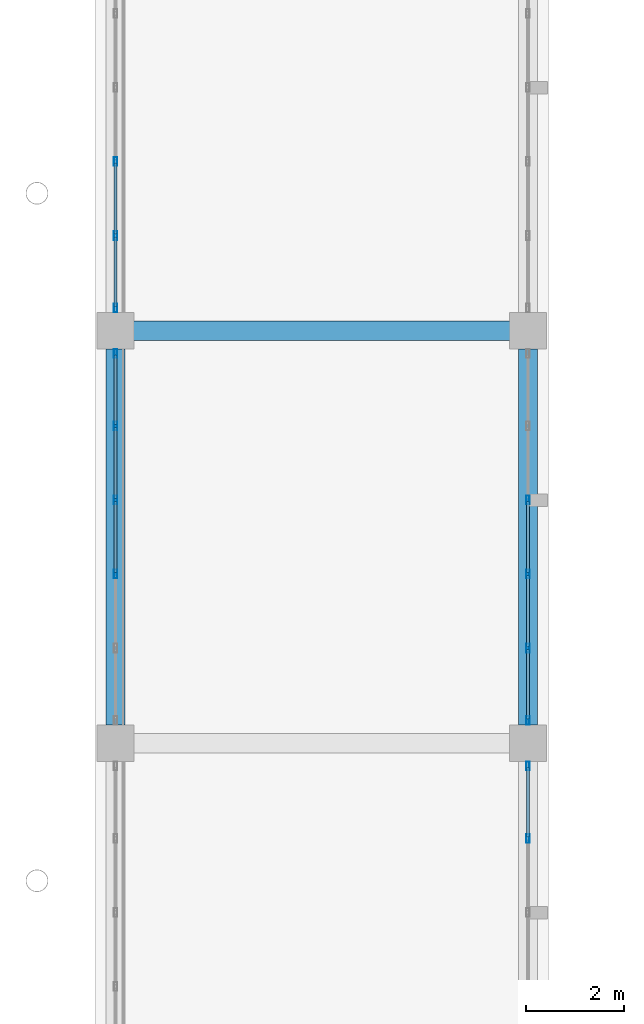
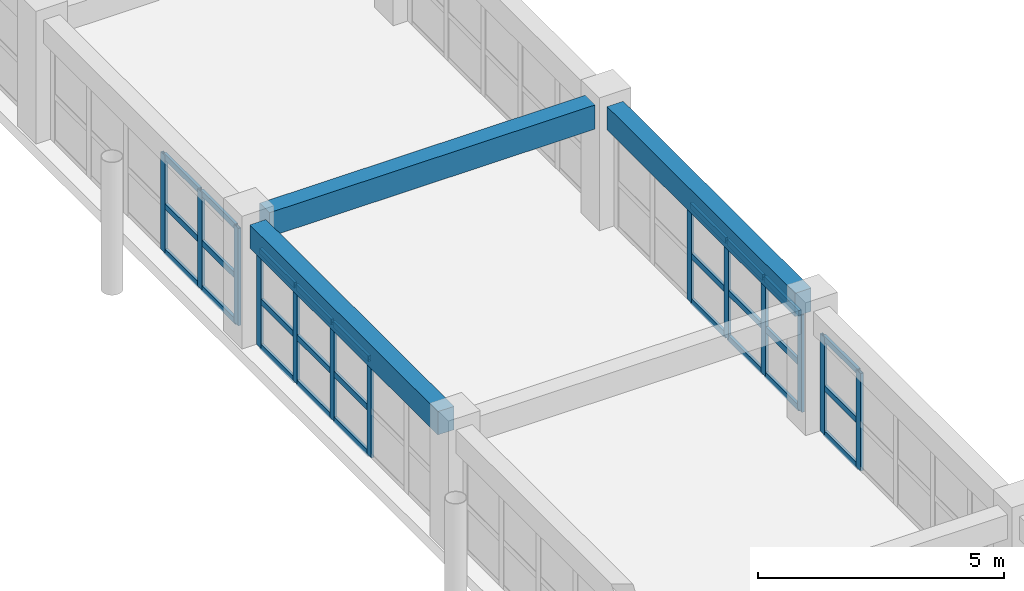
# One storey, part 138 of 200: 40 members, 3 beams, 4 elements without a shape of their own.
"""IFC4 building model written with IfcOpenShell, lengths in metres."""

from ifc_helpers import new_model, si_unit, direction, frame, origin, origin_2d, place, context, subcontext, project, spatial, rectangle, hollow_rectangle, extrude, material, layer, layer_set, material_profile, profile_set, type_object, element, aggregate, save


model = new_model("IFC4")

# Units and contexts
model_context = context("Model", 3, precision=1e-05, world=origin(), true_north=direction((0.0, 1.0)))
body_context = subcontext(model_context, "Body", "Model", "MODEL_VIEW")
ifc_project = project(units=[si_unit("LENGTHUNIT", "METRE"), si_unit("AREAUNIT", "SQUARE_METRE"), si_unit("VOLUMEUNIT", "CUBIC_METRE"), si_unit("PLANEANGLEUNIT", "RADIAN"), si_unit("MASSUNIT", "GRAM", prefix="KILO")], contexts=[model_context])

# Site, building, storey
site_placement = place(None, origin())
site = spatial("IfcSite", under=ifc_project, at=site_placement, CompositionType="ELEMENT")
building_placement = place(site_placement, origin())
building = spatial("IfcBuilding", under=site, at=building_placement, Name="Trelvath General Hospital", CompositionType="ELEMENT")
storey_placement = place(building_placement, frame((0.0, 0.0, 4.800048828125)))
storey = spatial("IfcBuildingStorey", under=building, at=storey_placement, Name="L01", CompositionType="ELEMENT", Elevation=4.800048828125)

# Beams
ifc_material_1 = material(Name="Concrete C35/45", Category="concrete")
ifc_material_profile_1 = material_profile(ifc_material_1, rectangle(XDim=0.3798828125, YDim=0.580078125, at=origin_2d()), Name="RCB380x580")
ifc_profile_set_1 = profile_set([ifc_material_profile_1], Name="Concrete C35/45")
beam_type_1 = type_object("IfcBeamType", Name="Beam RC380x580", PredefinedType="BEAM", material=ifc_profile_set_1)
for number, where, z_axis, x_axis, name in (
    (1, (176.39990234375, 42.3701171875, 2.72998046875), (0.0, 1.0, 0.0), (-1.0, 0.0, 0.0), "Grid Beam BY-121F"),
    (2, (184.800048828125, 42.3701171875, 2.72998046875), (0.0, 1.0, 0.0), (-1.0, 0.0, 0.0), "Grid Beam BY-122F"),
):
    element("IfcBeam", number, at=place(storey_placement, frame(where, z_axis=z_axis, x_axis=x_axis)), inside=storey, type_object=beam_type_1, Name=name, PredefinedType="BEAM", context=body_context, shape_type="SweptSolid", body=[
        extrude(rectangle(XDim=0.3798828125, YDim=0.580078125, at=origin_2d()), origin(), (0.0, 0.0, 1.0), 7.659912109375),
    ])
ifc_material_2 = material(Name="Concrete C35/45", Category="concrete")
ifc_material_profile_2 = material_profile(ifc_material_2, rectangle(XDim=0.39990234375, YDim=0.60009765625, at=origin_2d()), Name="RCB400x600")
ifc_profile_set_2 = profile_set([ifc_material_profile_2], Name="Concrete C35/45")
beam_type_2 = type_object("IfcBeamType", Name="Beam RC400x600", PredefinedType="BEAM", material=ifc_profile_set_2)
beam_placement = place(storey_placement, frame((176.77001953125, 50.39990234375, 2.719970703125), z_axis=(1.0, 0.0, 0.0), x_axis=(0.0, 1.0, 0.0)))
element("IfcBeam", 3, at=beam_placement, inside=storey, type_object=beam_type_2, Name="Grid Beam BX-121G", PredefinedType="BEAM", context=body_context, shape_type="SweptSolid", body=[
    extrude(rectangle(XDim=0.39990234375, YDim=0.60009765625, at=origin_2d()), origin(), (0.0, 0.0, 1.0), 7.659912109375),
])

# Curtain wall, members
ifc_material_3 = material(Name="Anodised aluminium and low-E glass", Category="aluminium")
ifc_layer = layer(ifc_material_3, 0.179931640625)
ifc_layer_set = layer_set([ifc_layer], Name="Anodised aluminium and low-E glass")
curtain_wall_type = type_object("IfcCurtainWallType", Name="CW Facade 754 242 18", PredefinedType="USERDEFINED", material=ifc_layer_set)
curtain_wall_1_placement = place(storey_placement, origin())
curtain_wall_1 = element("IfcCurtainWall", 4, at=curtain_wall_1_placement, inside=storey, type_object=curtain_wall_type, Name="Facade Curtain Wall CW-033", ObjectType="Unitised Glazed Curtain Wall", PredefinedType="USERDEFINED")
ifc_material_4 = material(Name="Anodised aluminium", Category="aluminium")
ifc_material_profile_3 = material_profile(ifc_material_4, hollow_rectangle(XDim=0.06494140625, YDim=0.179931640625, WallThickness=0.0048828125, at=origin_2d()), Name="RHS65x180x5")
ifc_profile_set_3 = profile_set([ifc_material_profile_3], Name="Anodised aluminium")
member_type_1 = type_object("IfcMemberType", Name="CurtainMullion 65x180", PredefinedType="MULLION", material=ifc_profile_set_3)
member_1_placement = place(storey_placement, frame((184.800048828125, 41.53759765625, 0.0), z_axis=(0.0, 0.0, 1.0), x_axis=(1.0, 0.0, 0.0)))
member_1 = element("IfcMember", 5, at=member_1_placement, type_object=member_type_1, Name="CW-033 mullion 1", PredefinedType="MULLION", context=body_context, shape_type="SweptSolid", body=[
    extrude(hollow_rectangle(XDim=0.06494140625, YDim=0.179931640625, WallThickness=0.0048828125, at=origin_2d()), origin(), (0.0, 0.0, 1.0), 2.419921875),
])
member_2_placement = place(storey_placement, frame((184.800048828125, 40.06201171875, 0.0), z_axis=(0.0, 0.0, 1.0), x_axis=(1.0, 0.0, 0.0)))
member_2 = element("IfcMember", 6, at=member_2_placement, type_object=member_type_1, Name="CW-033 mullion 2", PredefinedType="MULLION", context=body_context, shape_type="SweptSolid", body=[
    extrude(hollow_rectangle(XDim=0.06494140625, YDim=0.179931640625, WallThickness=0.0048828125, at=origin_2d()), origin(), (0.0, 0.0, 1.0), 2.419921875),
])

curtain_wall_2_placement = place(storey_placement, origin())
curtain_wall_2 = element("IfcCurtainWall", 7, at=curtain_wall_2_placement, inside=storey, type_object=curtain_wall_type, Name="Facade Curtain Wall CW-034", ObjectType="Unitised Glazed Curtain Wall", PredefinedType="USERDEFINED")
member_3_placement = place(storey_placement, frame((176.39990234375, 45.446044921875, 0.0), z_axis=(0.0, 0.0, 1.0), x_axis=(-1.0, 0.0, 0.0)))
member_3 = element("IfcMember", 8, at=member_3_placement, type_object=member_type_1, Name="CW-034 mullion 3", PredefinedType="MULLION", context=body_context, shape_type="SweptSolid", body=[
    extrude(hollow_rectangle(XDim=0.06494140625, YDim=0.179931640625, WallThickness=0.0048828125, at=origin_2d()), origin(), (0.0, 0.0, 1.0), 2.419921875),
])
member_4_placement = place(storey_placement, frame((176.39990234375, 46.9541015625, 0.0), z_axis=(0.0, 0.0, 1.0), x_axis=(-1.0, 0.0, 0.0)))
member_4 = element("IfcMember", 9, at=member_4_placement, type_object=member_type_1, Name="CW-034 mullion 4", PredefinedType="MULLION", context=body_context, shape_type="SweptSolid", body=[
    extrude(hollow_rectangle(XDim=0.06494140625, YDim=0.179931640625, WallThickness=0.0048828125, at=origin_2d()), origin(), (0.0, 0.0, 1.0), 2.419921875),
])
member_5_placement = place(storey_placement, frame((176.39990234375, 48.4619140625, 0.0), z_axis=(0.0, 0.0, 1.0), x_axis=(-1.0, 0.0, 0.0)))
member_5 = element("IfcMember", 10, at=member_5_placement, type_object=member_type_1, Name="CW-034 mullion 5", PredefinedType="MULLION", context=body_context, shape_type="SweptSolid", body=[
    extrude(hollow_rectangle(XDim=0.06494140625, YDim=0.179931640625, WallThickness=0.0048828125, at=origin_2d()), origin(), (0.0, 0.0, 1.0), 2.419921875),
])
member_6_placement = place(storey_placement, frame((176.39990234375, 49.9375, 0.0), z_axis=(0.0, 0.0, 1.0), x_axis=(-1.0, 0.0, 0.0)))
member_6 = element("IfcMember", 11, at=member_6_placement, type_object=member_type_1, Name="CW-034 mullion 6", PredefinedType="MULLION", context=body_context, shape_type="SweptSolid", body=[
    extrude(hollow_rectangle(XDim=0.06494140625, YDim=0.179931640625, WallThickness=0.0048828125, at=origin_2d()), origin(), (0.0, 0.0, 1.0), 2.419921875),
])

curtain_wall_3_placement = place(storey_placement, origin())
curtain_wall_3 = element("IfcCurtainWall", 12, at=curtain_wall_3_placement, inside=storey, type_object=curtain_wall_type, Name="Facade Curtain Wall CW-035", ObjectType="Unitised Glazed Curtain Wall", PredefinedType="USERDEFINED")
member_7_placement = place(storey_placement, frame((184.800048828125, 46.9541015625, 0.0), z_axis=(0.0, 0.0, 1.0), x_axis=(1.0, 0.0, 0.0)))
member_7 = element("IfcMember", 13, at=member_7_placement, type_object=member_type_1, Name="CW-035 mullion 3", PredefinedType="MULLION", context=body_context, shape_type="SweptSolid", body=[
    extrude(hollow_rectangle(XDim=0.06494140625, YDim=0.179931640625, WallThickness=0.0048828125, at=origin_2d()), origin(), (0.0, 0.0, 1.0), 2.419921875),
])
member_8_placement = place(storey_placement, frame((184.800048828125, 45.446044921875, 0.0), z_axis=(0.0, 0.0, 1.0), x_axis=(1.0, 0.0, 0.0)))
member_8 = element("IfcMember", 14, at=member_8_placement, type_object=member_type_1, Name="CW-035 mullion 4", PredefinedType="MULLION", context=body_context, shape_type="SweptSolid", body=[
    extrude(hollow_rectangle(XDim=0.06494140625, YDim=0.179931640625, WallThickness=0.0048828125, at=origin_2d()), origin(), (0.0, 0.0, 1.0), 2.419921875),
])
member_9_placement = place(storey_placement, frame((184.800048828125, 43.93798828125, 0.0), z_axis=(0.0, 0.0, 1.0), x_axis=(1.0, 0.0, 0.0)))
member_9 = element("IfcMember", 15, at=member_9_placement, type_object=member_type_1, Name="CW-035 mullion 5", PredefinedType="MULLION", context=body_context, shape_type="SweptSolid", body=[
    extrude(hollow_rectangle(XDim=0.06494140625, YDim=0.179931640625, WallThickness=0.0048828125, at=origin_2d()), origin(), (0.0, 0.0, 1.0), 2.419921875),
])
member_10_placement = place(storey_placement, frame((184.800048828125, 42.46240234375, 0.0), z_axis=(0.0, 0.0, 1.0), x_axis=(1.0, 0.0, 0.0)))
member_10 = element("IfcMember", 16, at=member_10_placement, type_object=member_type_1, Name="CW-035 mullion 6", PredefinedType="MULLION", context=body_context, shape_type="SweptSolid", body=[
    extrude(hollow_rectangle(XDim=0.06494140625, YDim=0.179931640625, WallThickness=0.0048828125, at=origin_2d()), origin(), (0.0, 0.0, 1.0), 2.419921875),
])

curtain_wall_4_placement = place(storey_placement, origin())
curtain_wall_4 = element("IfcCurtainWall", 17, at=curtain_wall_4_placement, inside=storey, type_object=curtain_wall_type, Name="Facade Curtain Wall CW-036", ObjectType="Unitised Glazed Curtain Wall", PredefinedType="USERDEFINED")
member_11_placement = place(storey_placement, frame((176.39990234375, 50.862548828125, 0.0), z_axis=(0.0, 0.0, 1.0), x_axis=(-1.0, 0.0, 0.0)))
member_11 = element("IfcMember", 18, at=member_11_placement, type_object=member_type_1, Name="CW-036 mullion 1", PredefinedType="MULLION", context=body_context, shape_type="SweptSolid", body=[
    extrude(hollow_rectangle(XDim=0.06494140625, YDim=0.179931640625, WallThickness=0.0048828125, at=origin_2d()), origin(), (0.0, 0.0, 1.0), 2.419921875),
])
member_12_placement = place(storey_placement, frame((176.39990234375, 52.337890625, 0.0), z_axis=(0.0, 0.0, 1.0), x_axis=(-1.0, 0.0, 0.0)))
member_12 = element("IfcMember", 19, at=member_12_placement, type_object=member_type_1, Name="CW-036 mullion 2", PredefinedType="MULLION", context=body_context, shape_type="SweptSolid", body=[
    extrude(hollow_rectangle(XDim=0.06494140625, YDim=0.179931640625, WallThickness=0.0048828125, at=origin_2d()), origin(), (0.0, 0.0, 1.0), 2.419921875),
])
member_13_placement = place(storey_placement, frame((176.39990234375, 53.845947265625, 0.0), z_axis=(0.0, 0.0, 1.0), x_axis=(-1.0, 0.0, 0.0)))
member_13 = element("IfcMember", 20, at=member_13_placement, type_object=member_type_1, Name="CW-036 mullion 3", PredefinedType="MULLION", context=body_context, shape_type="SweptSolid", body=[
    extrude(hollow_rectangle(XDim=0.06494140625, YDim=0.179931640625, WallThickness=0.0048828125, at=origin_2d()), origin(), (0.0, 0.0, 1.0), 2.419921875),
])

# Member
ifc_material_5 = material(Name="Anodised aluminium", Category="aluminium")
ifc_material_profile_4 = material_profile(ifc_material_5, hollow_rectangle(XDim=0.06494140625, YDim=0.14501953125, WallThickness=0.00390625, at=origin_2d()), Name="RHS65x145x4")
ifc_profile_set_4 = profile_set([ifc_material_profile_4], Name="Anodised aluminium")
member_type_2 = type_object("IfcMemberType", Name="CurtainTransom 65x145", PredefinedType="USERDEFINED", material=ifc_profile_set_4)
member_14_placement = place(storey_placement, frame((184.800048828125, 41.5048828125, 0.032470703125), z_axis=(0.0, -1.0, 0.0), x_axis=(1.0, 0.0, 0.0)))
member_14 = element("IfcMember", 21, at=member_14_placement, type_object=member_type_2, Name="CW-033 transom 1.1", ObjectType="TRANSOM", PredefinedType="USERDEFINED", context=body_context, shape_type="SweptSolid", body=[
    extrude(hollow_rectangle(XDim=0.06494140625, YDim=0.14501953125, WallThickness=0.00390625, at=origin_2d()), origin(), (0.0, 0.0, 1.0), 1.410400390625),
])

member_15_placement = place(storey_placement, frame((184.800048828125, 41.5048828125, 1.161865234375), z_axis=(0.0, -1.0, 0.0), x_axis=(1.0, 0.0, 0.0)))
member_15 = element("IfcMember", 22, at=member_15_placement, type_object=member_type_2, Name="CW-033 transom 1.2", ObjectType="TRANSOM", PredefinedType="USERDEFINED", context=body_context, shape_type="SweptSolid", body=[
    extrude(hollow_rectangle(XDim=0.06494140625, YDim=0.14501953125, WallThickness=0.00390625, at=origin_2d()), origin(), (0.0, 0.0, 1.0), 1.410400390625),
])

member_16_placement = place(storey_placement, frame((184.800048828125, 41.5048828125, 2.387451171875), z_axis=(0.0, -1.0, 0.0), x_axis=(1.0, 0.0, 0.0)))
member_16 = element("IfcMember", 23, at=member_16_placement, type_object=member_type_2, Name="CW-033 transom 1.3", ObjectType="TRANSOM", PredefinedType="USERDEFINED", context=body_context, shape_type="SweptSolid", body=[
    extrude(hollow_rectangle(XDim=0.06494140625, YDim=0.14501953125, WallThickness=0.00390625, at=origin_2d()), origin(), (0.0, 0.0, 1.0), 1.410400390625),
])

aggregate(curtain_wall_1, [member_1, member_2, member_14, member_15, member_16])

member_17_placement = place(storey_placement, frame((176.39990234375, 45.478515625, 0.032470703125), z_axis=(0.0, 1.0, 0.0), x_axis=(-1.0, 0.0, 0.0)))
member_17 = element("IfcMember", 24, at=member_17_placement, type_object=member_type_2, Name="CW-034 transom 3.1", ObjectType="TRANSOM", PredefinedType="USERDEFINED", context=body_context, shape_type="SweptSolid", body=[
    extrude(hollow_rectangle(XDim=0.06494140625, YDim=0.14501953125, WallThickness=0.00390625, at=origin_2d()), origin(), (0.0, 0.0, 1.0), 1.44287109375),
])

member_18_placement = place(storey_placement, frame((176.39990234375, 45.478515625, 1.161865234375), z_axis=(0.0, 1.0, 0.0), x_axis=(-1.0, 0.0, 0.0)))
member_18 = element("IfcMember", 25, at=member_18_placement, type_object=member_type_2, Name="CW-034 transom 3.2", ObjectType="TRANSOM", PredefinedType="USERDEFINED", context=body_context, shape_type="SweptSolid", body=[
    extrude(hollow_rectangle(XDim=0.06494140625, YDim=0.14501953125, WallThickness=0.00390625, at=origin_2d()), origin(), (0.0, 0.0, 1.0), 1.44287109375),
])

member_19_placement = place(storey_placement, frame((176.39990234375, 45.478515625, 2.387451171875), z_axis=(0.0, 1.0, 0.0), x_axis=(-1.0, 0.0, 0.0)))
member_19 = element("IfcMember", 26, at=member_19_placement, type_object=member_type_2, Name="CW-034 transom 3.3", ObjectType="TRANSOM", PredefinedType="USERDEFINED", context=body_context, shape_type="SweptSolid", body=[
    extrude(hollow_rectangle(XDim=0.06494140625, YDim=0.14501953125, WallThickness=0.00390625, at=origin_2d()), origin(), (0.0, 0.0, 1.0), 1.44287109375),
])

member_20_placement = place(storey_placement, frame((176.39990234375, 46.986572265625, 0.032470703125), z_axis=(0.0, 1.0, 0.0), x_axis=(-1.0, 0.0, 0.0)))
member_20 = element("IfcMember", 27, at=member_20_placement, type_object=member_type_2, Name="CW-034 transom 4.1", ObjectType="TRANSOM", PredefinedType="USERDEFINED", context=body_context, shape_type="SweptSolid", body=[
    extrude(hollow_rectangle(XDim=0.06494140625, YDim=0.14501953125, WallThickness=0.00390625, at=origin_2d()), origin(), (0.0, 0.0, 1.0), 1.44287109375),
])

member_21_placement = place(storey_placement, frame((176.39990234375, 46.986572265625, 1.161865234375), z_axis=(0.0, 1.0, 0.0), x_axis=(-1.0, 0.0, 0.0)))
member_21 = element("IfcMember", 28, at=member_21_placement, type_object=member_type_2, Name="CW-034 transom 4.2", ObjectType="TRANSOM", PredefinedType="USERDEFINED", context=body_context, shape_type="SweptSolid", body=[
    extrude(hollow_rectangle(XDim=0.06494140625, YDim=0.14501953125, WallThickness=0.00390625, at=origin_2d()), origin(), (0.0, 0.0, 1.0), 1.44287109375),
])

member_22_placement = place(storey_placement, frame((176.39990234375, 46.986572265625, 2.387451171875), z_axis=(0.0, 1.0, 0.0), x_axis=(-1.0, 0.0, 0.0)))
member_22 = element("IfcMember", 29, at=member_22_placement, type_object=member_type_2, Name="CW-034 transom 4.3", ObjectType="TRANSOM", PredefinedType="USERDEFINED", context=body_context, shape_type="SweptSolid", body=[
    extrude(hollow_rectangle(XDim=0.06494140625, YDim=0.14501953125, WallThickness=0.00390625, at=origin_2d()), origin(), (0.0, 0.0, 1.0), 1.44287109375),
])

member_23_placement = place(storey_placement, frame((176.39990234375, 48.494384765625, 0.032470703125), z_axis=(0.0, 1.0, 0.0), x_axis=(-1.0, 0.0, 0.0)))
member_23 = element("IfcMember", 30, at=member_23_placement, type_object=member_type_2, Name="CW-034 transom 5.1", ObjectType="TRANSOM", PredefinedType="USERDEFINED", context=body_context, shape_type="SweptSolid", body=[
    extrude(hollow_rectangle(XDim=0.06494140625, YDim=0.14501953125, WallThickness=0.00390625, at=origin_2d()), origin(), (0.0, 0.0, 1.0), 1.41064453125),
])

member_24_placement = place(storey_placement, frame((176.39990234375, 48.494384765625, 1.161865234375), z_axis=(0.0, 1.0, 0.0), x_axis=(-1.0, 0.0, 0.0)))
member_24 = element("IfcMember", 31, at=member_24_placement, type_object=member_type_2, Name="CW-034 transom 5.2", ObjectType="TRANSOM", PredefinedType="USERDEFINED", context=body_context, shape_type="SweptSolid", body=[
    extrude(hollow_rectangle(XDim=0.06494140625, YDim=0.14501953125, WallThickness=0.00390625, at=origin_2d()), origin(), (0.0, 0.0, 1.0), 1.41064453125),
])

member_25_placement = place(storey_placement, frame((176.39990234375, 48.494384765625, 2.387451171875), z_axis=(0.0, 1.0, 0.0), x_axis=(-1.0, 0.0, 0.0)))
member_25 = element("IfcMember", 32, at=member_25_placement, type_object=member_type_2, Name="CW-034 transom 5.3", ObjectType="TRANSOM", PredefinedType="USERDEFINED", context=body_context, shape_type="SweptSolid", body=[
    extrude(hollow_rectangle(XDim=0.06494140625, YDim=0.14501953125, WallThickness=0.00390625, at=origin_2d()), origin(), (0.0, 0.0, 1.0), 1.41064453125),
])

aggregate(curtain_wall_2, [member_3, member_4, member_5, member_6, member_17, member_18, member_19, member_20, member_21, member_22, member_23, member_24, member_25])

member_26_placement = place(storey_placement, frame((184.800048828125, 46.92138671875, 0.032470703125), z_axis=(0.0, -1.0, 0.0), x_axis=(1.0, 0.0, 0.0)))
member_26 = element("IfcMember", 33, at=member_26_placement, type_object=member_type_2, Name="CW-035 transom 3.1", ObjectType="TRANSOM", PredefinedType="USERDEFINED", context=body_context, shape_type="SweptSolid", body=[
    extrude(hollow_rectangle(XDim=0.06494140625, YDim=0.14501953125, WallThickness=0.00390625, at=origin_2d()), origin(), (0.0, 0.0, 1.0), 1.44287109375),
])

member_27_placement = place(storey_placement, frame((184.800048828125, 46.92138671875, 1.161865234375), z_axis=(0.0, -1.0, 0.0), x_axis=(1.0, 0.0, 0.0)))
member_27 = element("IfcMember", 34, at=member_27_placement, type_object=member_type_2, Name="CW-035 transom 3.2", ObjectType="TRANSOM", PredefinedType="USERDEFINED", context=body_context, shape_type="SweptSolid", body=[
    extrude(hollow_rectangle(XDim=0.06494140625, YDim=0.14501953125, WallThickness=0.00390625, at=origin_2d()), origin(), (0.0, 0.0, 1.0), 1.44287109375),
])

member_28_placement = place(storey_placement, frame((184.800048828125, 46.92138671875, 2.387451171875), z_axis=(0.0, -1.0, 0.0), x_axis=(1.0, 0.0, 0.0)))
member_28 = element("IfcMember", 35, at=member_28_placement, type_object=member_type_2, Name="CW-035 transom 3.3", ObjectType="TRANSOM", PredefinedType="USERDEFINED", context=body_context, shape_type="SweptSolid", body=[
    extrude(hollow_rectangle(XDim=0.06494140625, YDim=0.14501953125, WallThickness=0.00390625, at=origin_2d()), origin(), (0.0, 0.0, 1.0), 1.44287109375),
])

member_29_placement = place(storey_placement, frame((184.800048828125, 45.41357421875, 0.032470703125), z_axis=(0.0, -1.0, 0.0), x_axis=(1.0, 0.0, 0.0)))
member_29 = element("IfcMember", 36, at=member_29_placement, type_object=member_type_2, Name="CW-035 transom 4.1", ObjectType="TRANSOM", PredefinedType="USERDEFINED", context=body_context, shape_type="SweptSolid", body=[
    extrude(hollow_rectangle(XDim=0.06494140625, YDim=0.14501953125, WallThickness=0.00390625, at=origin_2d()), origin(), (0.0, 0.0, 1.0), 1.443115234375),
])

member_30_placement = place(storey_placement, frame((184.800048828125, 45.41357421875, 1.161865234375), z_axis=(0.0, -1.0, 0.0), x_axis=(1.0, 0.0, 0.0)))
member_30 = element("IfcMember", 37, at=member_30_placement, type_object=member_type_2, Name="CW-035 transom 4.2", ObjectType="TRANSOM", PredefinedType="USERDEFINED", context=body_context, shape_type="SweptSolid", body=[
    extrude(hollow_rectangle(XDim=0.06494140625, YDim=0.14501953125, WallThickness=0.00390625, at=origin_2d()), origin(), (0.0, 0.0, 1.0), 1.443115234375),
])

member_31_placement = place(storey_placement, frame((184.800048828125, 45.41357421875, 2.387451171875), z_axis=(0.0, -1.0, 0.0), x_axis=(1.0, 0.0, 0.0)))
member_31 = element("IfcMember", 38, at=member_31_placement, type_object=member_type_2, Name="CW-035 transom 4.3", ObjectType="TRANSOM", PredefinedType="USERDEFINED", context=body_context, shape_type="SweptSolid", body=[
    extrude(hollow_rectangle(XDim=0.06494140625, YDim=0.14501953125, WallThickness=0.00390625, at=origin_2d()), origin(), (0.0, 0.0, 1.0), 1.443115234375),
])

member_32_placement = place(storey_placement, frame((184.800048828125, 43.905517578125, 0.032470703125), z_axis=(0.0, -1.0, 0.0), x_axis=(1.0, 0.0, 0.0)))
member_32 = element("IfcMember", 39, at=member_32_placement, type_object=member_type_2, Name="CW-035 transom 5.1", ObjectType="TRANSOM", PredefinedType="USERDEFINED", context=body_context, shape_type="SweptSolid", body=[
    extrude(hollow_rectangle(XDim=0.06494140625, YDim=0.14501953125, WallThickness=0.00390625, at=origin_2d()), origin(), (0.0, 0.0, 1.0), 1.410400390625),
])

member_33_placement = place(storey_placement, frame((184.800048828125, 43.905517578125, 1.161865234375), z_axis=(0.0, -1.0, 0.0), x_axis=(1.0, 0.0, 0.0)))
member_33 = element("IfcMember", 40, at=member_33_placement, type_object=member_type_2, Name="CW-035 transom 5.2", ObjectType="TRANSOM", PredefinedType="USERDEFINED", context=body_context, shape_type="SweptSolid", body=[
    extrude(hollow_rectangle(XDim=0.06494140625, YDim=0.14501953125, WallThickness=0.00390625, at=origin_2d()), origin(), (0.0, 0.0, 1.0), 1.410400390625),
])

member_34_placement = place(storey_placement, frame((184.800048828125, 43.905517578125, 2.387451171875), z_axis=(0.0, -1.0, 0.0), x_axis=(1.0, 0.0, 0.0)))
member_34 = element("IfcMember", 41, at=member_34_placement, type_object=member_type_2, Name="CW-035 transom 5.3", ObjectType="TRANSOM", PredefinedType="USERDEFINED", context=body_context, shape_type="SweptSolid", body=[
    extrude(hollow_rectangle(XDim=0.06494140625, YDim=0.14501953125, WallThickness=0.00390625, at=origin_2d()), origin(), (0.0, 0.0, 1.0), 1.410400390625),
])

aggregate(curtain_wall_3, [member_7, member_8, member_9, member_10, member_26, member_27, member_28, member_29, member_30, member_31, member_32, member_33, member_34])

member_35_placement = place(storey_placement, frame((176.39990234375, 50.89501953125, 0.032470703125), z_axis=(0.0, 1.0, 0.0), x_axis=(-1.0, 0.0, 0.0)))
member_35 = element("IfcMember", 42, at=member_35_placement, type_object=member_type_2, Name="CW-036 transom 1.1", ObjectType="TRANSOM", PredefinedType="USERDEFINED", context=body_context, shape_type="SweptSolid", body=[
    extrude(hollow_rectangle(XDim=0.06494140625, YDim=0.14501953125, WallThickness=0.00390625, at=origin_2d()), origin(), (0.0, 0.0, 1.0), 1.410400390625),
])

member_36_placement = place(storey_placement, frame((176.39990234375, 50.89501953125, 1.161865234375), z_axis=(0.0, 1.0, 0.0), x_axis=(-1.0, 0.0, 0.0)))
member_36 = element("IfcMember", 43, at=member_36_placement, type_object=member_type_2, Name="CW-036 transom 1.2", ObjectType="TRANSOM", PredefinedType="USERDEFINED", context=body_context, shape_type="SweptSolid", body=[
    extrude(hollow_rectangle(XDim=0.06494140625, YDim=0.14501953125, WallThickness=0.00390625, at=origin_2d()), origin(), (0.0, 0.0, 1.0), 1.410400390625),
])

member_37_placement = place(storey_placement, frame((176.39990234375, 50.89501953125, 2.387451171875), z_axis=(0.0, 1.0, 0.0), x_axis=(-1.0, 0.0, 0.0)))
member_37 = element("IfcMember", 44, at=member_37_placement, type_object=member_type_2, Name="CW-036 transom 1.3", ObjectType="TRANSOM", PredefinedType="USERDEFINED", context=body_context, shape_type="SweptSolid", body=[
    extrude(hollow_rectangle(XDim=0.06494140625, YDim=0.14501953125, WallThickness=0.00390625, at=origin_2d()), origin(), (0.0, 0.0, 1.0), 1.410400390625),
])

member_38_placement = place(storey_placement, frame((176.39990234375, 52.37060546875, 0.032470703125), z_axis=(0.0, 1.0, 0.0), x_axis=(-1.0, 0.0, 0.0)))
member_38 = element("IfcMember", 45, at=member_38_placement, type_object=member_type_2, Name="CW-036 transom 2.1", ObjectType="TRANSOM", PredefinedType="USERDEFINED", context=body_context, shape_type="SweptSolid", body=[
    extrude(hollow_rectangle(XDim=0.06494140625, YDim=0.14501953125, WallThickness=0.00390625, at=origin_2d()), origin(), (0.0, 0.0, 1.0), 1.44287109375),
])

member_39_placement = place(storey_placement, frame((176.39990234375, 52.37060546875, 1.161865234375), z_axis=(0.0, 1.0, 0.0), x_axis=(-1.0, 0.0, 0.0)))
member_39 = element("IfcMember", 46, at=member_39_placement, type_object=member_type_2, Name="CW-036 transom 2.2", ObjectType="TRANSOM", PredefinedType="USERDEFINED", context=body_context, shape_type="SweptSolid", body=[
    extrude(hollow_rectangle(XDim=0.06494140625, YDim=0.14501953125, WallThickness=0.00390625, at=origin_2d()), origin(), (0.0, 0.0, 1.0), 1.44287109375),
])

member_40_placement = place(storey_placement, frame((176.39990234375, 52.37060546875, 2.387451171875), z_axis=(0.0, 1.0, 0.0), x_axis=(-1.0, 0.0, 0.0)))
member_40 = element("IfcMember", 47, at=member_40_placement, type_object=member_type_2, Name="CW-036 transom 2.3", ObjectType="TRANSOM", PredefinedType="USERDEFINED", context=body_context, shape_type="SweptSolid", body=[
    extrude(hollow_rectangle(XDim=0.06494140625, YDim=0.14501953125, WallThickness=0.00390625, at=origin_2d()), origin(), (0.0, 0.0, 1.0), 1.44287109375),
])

aggregate(curtain_wall_4, [member_11, member_12, member_13, member_35, member_36, member_37, member_38, member_39, member_40])

save(model, "model.ifc")
